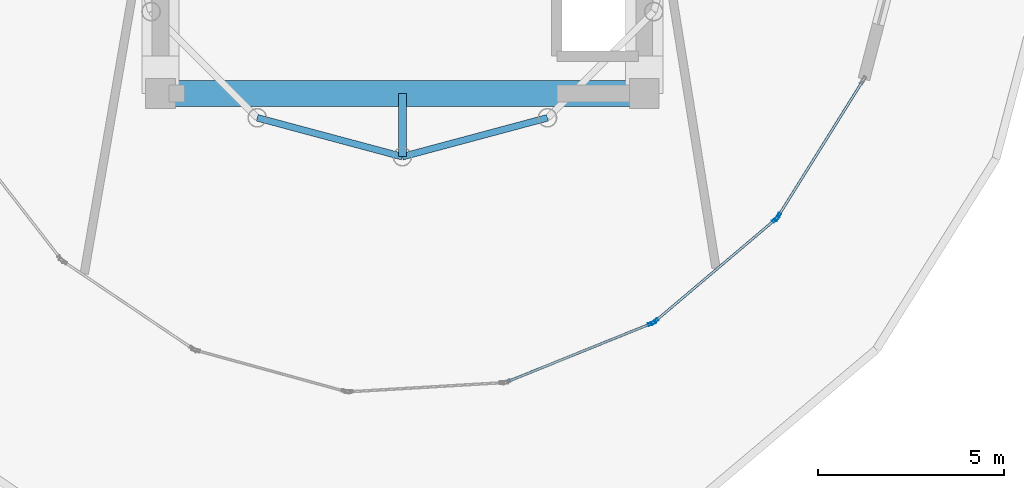
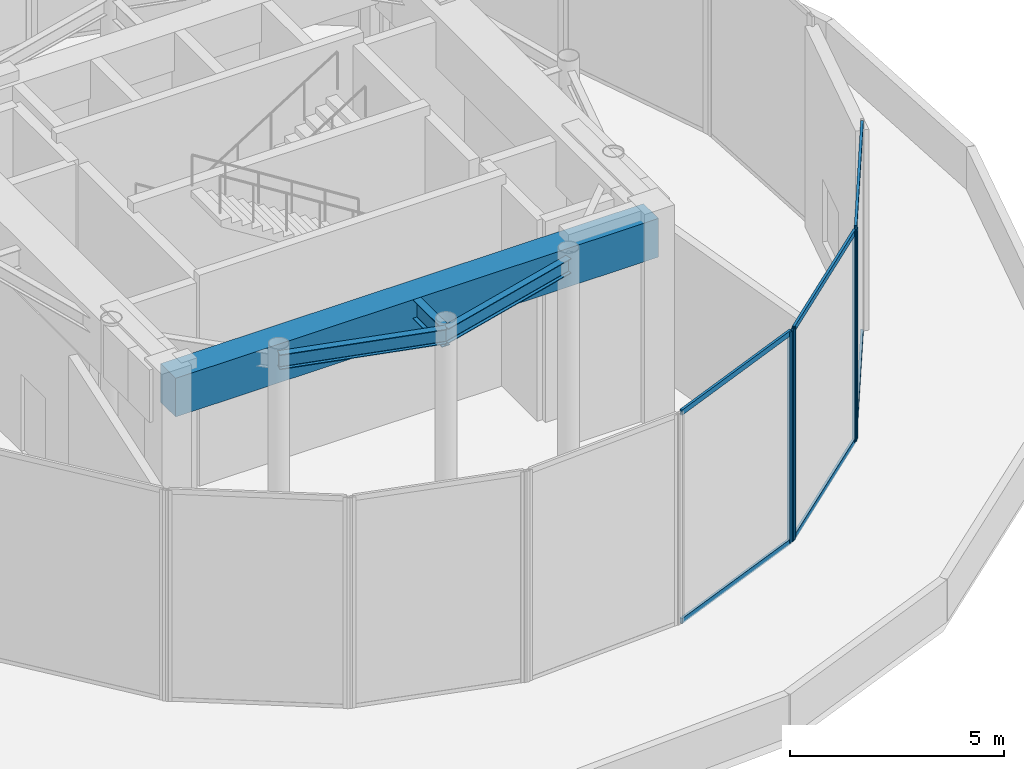
# One storey, part 3 of 12: 10 members, 4 beams, 3 elements without a shape of their own.
"""IFC4 building model written with IfcOpenShell, lengths in metres."""

from ifc_helpers import new_model, si_unit, direction, frame, origin, origin_2d, place, context, subcontext, project, spatial, rectangle, hollow_rectangle, i_section, extrude, source, transform, mapped, material, layer, layer_set, material_profile, profile_set, type_object, element, aggregate, save


model = new_model("IFC4")

# Units and contexts
model_context = context("Model", 3, precision=1e-05, world=origin(), true_north=direction((0.0, 1.0)))
body_context = subcontext(model_context, "Body", "Model", "MODEL_VIEW")
ifc_project = project(units=[si_unit("LENGTHUNIT", "METRE"), si_unit("AREAUNIT", "SQUARE_METRE"), si_unit("VOLUMEUNIT", "CUBIC_METRE"), si_unit("PLANEANGLEUNIT", "RADIAN"), si_unit("MASSUNIT", "GRAM", prefix="KILO")], contexts=[model_context])

# Site, building, storey
site_placement = place(None, origin())
site = spatial("IfcSite", under=ifc_project, at=site_placement, CompositionType="ELEMENT")
building_placement = place(site_placement, origin())
building = spatial("IfcBuilding", under=site, at=building_placement, Name="Solvirekh Grand Hotel", CompositionType="ELEMENT")
storey_placement = place(building_placement, frame((0.0, 0.0, 302.199951171875)))
storey = spatial("IfcBuildingStorey", under=building, at=storey_placement, Name="L78", CompositionType="ELEMENT", Elevation=302.199951171875)

# Beams
ifc_material_1 = material(Name="Concrete C60/75", Category="concrete")
ifc_material_profile_1 = material_profile(ifc_material_1, rectangle(XDim=0.699951171875, YDim=1.10009765625, at=origin_2d()), Name="RC BEAM 700X1100")
ifc_profile_set_1 = profile_set([ifc_material_profile_1], Name="Concrete C60/75")
beam_type_1 = type_object("IfcBeamType", Name="Beam_Core_RC1100", PredefinedType="BEAM", material=ifc_profile_set_1)
beam_1_placement = place(storey_placement, frame((-6.5, -6.10009765625, 5.170166015625), z_axis=(1.0, 0.0, 0.0), x_axis=(0.0, 1.0, 0.0)))
element("IfcBeam", 1, at=beam_1_placement, inside=storey, type_object=beam_type_1, Name="L78 core coupling ring beam 1", PredefinedType="BEAM", context=body_context, shape_type="SweptSolid", body=[
    extrude(rectangle(XDim=0.699951171875, YDim=1.10009765625, at=origin_2d()), origin(), (0.0, 0.0, 1.0), 13.0),
])
ifc_material_2 = material(Name="Steel S355", Category="steel")
ifc_material_profile_2 = material_profile(ifc_material_2, i_section(OverallWidth=0.2119140625, OverallDepth=0.5439453125, WebThickness=0.011962890625, FlangeThickness=0.01904296875, FilletRadius=0.013916015625, at=origin_2d()), Name="W530X123")
ifc_profile_set_2 = profile_set([ifc_material_profile_2], Name="Steel S355")
beam_type_2 = type_object("IfcBeamType", Name="Beam_Radial_W530H", PredefinedType="BEAM", material=ifc_profile_set_2)
beam_2_placement = place(storey_placement, frame((0.0, -6.10009765625, 5.447998046875), z_axis=(0.0, -1.0, 0.0), x_axis=(1.0, 0.0, 0.0)))
element("IfcBeam", 2, at=beam_2_placement, inside=storey, type_object=beam_type_2, Name="L78 radial floor beam R10", PredefinedType="BEAM", context=body_context, shape_type="SweptSolid", body=[
    extrude(i_section(OverallWidth=0.2119140625, OverallDepth=0.5439453125, WebThickness=0.011962890625, FlangeThickness=0.01904296875, FilletRadius=0.013916015625, at=origin_2d()), origin(), (0.0, 0.0, 1.0), 1.699951171875),
])
ifc_material_profile_3 = material_profile(ifc_material_2, i_section(OverallWidth=0.180908203125, OverallDepth=0.4169921875, WebThickness=0.010009765625, FlangeThickness=0.01611328125, FilletRadius=0.011962890625, at=origin_2d()), Name="W410X85")
ifc_profile_set_3 = profile_set([ifc_material_profile_3], Name="Steel S355")
beam_type_3 = type_object("IfcBeamType", Name="Spandrel_Ring_W410", PredefinedType="SPANDREL", material=ifc_profile_set_3)
for number, where, z_axis, x_axis, name in (
    (3, (-3.89990234375, -6.7548828125, 5.511962890625), (0.965914040095, -0.258863027773, 0.0), (0.258863027773, 0.965914040095, 0.0), "L78 perimeter spandrel beam 9"),
    (4, (0.0, -7.800048828125, 5.511962890625), (0.965914040095, 0.258863027773, 0.0), (-0.258863027773, 0.965914040095, 0.0), "L78 perimeter spandrel beam 10"),
):
    element("IfcBeam", number, at=place(storey_placement, frame(where, z_axis=z_axis, x_axis=x_axis)), inside=storey, type_object=beam_type_3, Name=name, PredefinedType="SPANDREL", context=body_context, shape_type="SweptSolid", body=[
        extrude(i_section(OverallWidth=0.180908203125, OverallDepth=0.4169921875, WebThickness=0.010009765625, FlangeThickness=0.01611328125, FilletRadius=0.011962890625, at=origin_2d()), origin(), (0.0, 0.0, 1.0), 4.03759765625),
    ])

# Curtain wall, member
ifc_material_3 = material(Name="Anodized Bronze Aluminium 6063-T6", Category="aluminium")
ifc_layer = layer(ifc_material_3, 0.219970703125)
ifc_layer_set = layer_set([ifc_layer], Name="Anodized Bronze Aluminium 6063-T6")
curtain_wall_type = type_object("IfcCurtainWallType", Name="CW_Sys6_CrownFacetedPointCW", PredefinedType="NOTDEFINED", material=ifc_layer_set)
curtain_wall_1_placement = place(storey_placement, origin())
curtain_wall_1 = element("IfcCurtainWall", 5, at=curtain_wall_1_placement, inside=storey, type_object=curtain_wall_type, Name="L78 unitised bronze-glass curtain wall CW-L78-C02", PredefinedType="NOTDEFINED")
ifc_material_profile_4 = material_profile(ifc_material_3, hollow_rectangle(XDim=0.074951171875, YDim=0.219970703125, WallThickness=0.006103515625, at=origin_2d()), Name="ALU RHS 220X75X6")
ifc_profile_set_4 = profile_set([ifc_material_profile_4], Name="Anodized Bronze Aluminium 6063-T6")
member_type_1 = type_object("IfcMemberType", Name="CWMullion_Sys6", PredefinedType="MULLION", material=ifc_profile_set_4)
shared_shape_1 = source(origin(), body_context, "Body", "SweptSolid", [
    extrude(hollow_rectangle(XDim=0.074951171875, YDim=0.219970703125, WallThickness=0.006103515625, at=origin_2d()), origin(), (0.0, 0.0, 1.0), 6.0),
])
member_1_placement = place(storey_placement, frame((6.714111328125, -12.275146484375, 0.0), z_axis=(0.0, 0.0, 1.0), x_axis=(-0.374721029061, 0.92713761135, 0.0)))
member_1 = element("IfcMember", 6, at=member_1_placement, type_object=member_type_1, Name="U06 mullion 2", PredefinedType="MULLION", context=body_context, shape_type="MappedRepresentation", body=[
    mapped(shared_shape_1, transform((0.0, 0.0, 0.0), x_axis=(1.0, 0.0, 0.0), y_axis=(0.0, 1.0, 0.0), z_axis=(0.0, 0.0, 1.0), scale=1.0)),
])

# Curtain wall, members
curtain_wall_2_placement = place(storey_placement, origin())
curtain_wall_2 = element("IfcCurtainWall", 7, at=curtain_wall_2_placement, inside=storey, type_object=curtain_wall_type, Name="L78 unitised bronze-glass curtain wall CW-L78-C03", PredefinedType="NOTDEFINED")
member_2_placement = place(storey_placement, frame((6.777587890625, -12.23681640625, 0.0), z_axis=(0.0, 0.0, 1.0), x_axis=(-0.645931936928, 0.763395004474, 0.0)))
member_2 = element("IfcMember", 8, at=member_2_placement, type_object=member_type_1, Name="U06 mullion 1", PredefinedType="MULLION", context=body_context, shape_type="MappedRepresentation", body=[
    mapped(shared_shape_1, transform((0.0, 0.0, 0.0), x_axis=(1.0, 0.0, 0.0), y_axis=(0.0, 1.0, 0.0), z_axis=(0.0, 0.0, 1.0), scale=1.0)),
])
member_3_placement = place(storey_placement, frame((10.041259765625, -9.475341796875, 0.0), z_axis=(0.0, 0.0, 1.0), x_axis=(-0.645931936928, 0.763395004474, 0.0)))
member_3 = element("IfcMember", 9, at=member_3_placement, type_object=member_type_1, Name="U06 mullion 2", PredefinedType="MULLION", context=body_context, shape_type="MappedRepresentation", body=[
    mapped(shared_shape_1, transform((0.0, 0.0, 0.0), x_axis=(1.0, 0.0, 0.0), y_axis=(0.0, 1.0, 0.0), z_axis=(0.0, 0.0, 1.0), scale=1.0)),
])

# Curtain wall, member
curtain_wall_3_placement = place(storey_placement, origin())
curtain_wall_3 = element("IfcCurtainWall", 10, at=curtain_wall_3_placement, inside=storey, type_object=curtain_wall_type, Name="L78 unitised bronze-glass curtain wall CW-L78-C04", PredefinedType="NOTDEFINED")
member_4_placement = place(storey_placement, frame((10.08984375, -9.419189453125, 0.0), z_axis=(0.0, 0.0, 1.0), x_axis=(-0.847934527093, 0.530100969405, 0.0)))
member_4 = element("IfcMember", 11, at=member_4_placement, type_object=member_type_1, Name="U06 mullion 1", PredefinedType="MULLION", context=body_context, shape_type="MappedRepresentation", body=[
    mapped(shared_shape_1, transform((0.0, 0.0, 0.0), x_axis=(1.0, 0.0, 0.0), y_axis=(0.0, 1.0, 0.0), z_axis=(0.0, 0.0, 1.0), scale=1.0)),
])

# Member
ifc_material_profile_5 = material_profile(ifc_material_3, hollow_rectangle(XDim=0.06494140625, YDim=0.14990234375, WallThickness=0.0048828125, at=origin_2d()), Name="ALU RHS 150X65X5")
ifc_profile_set_5 = profile_set([ifc_material_profile_5], Name="Anodized Bronze Aluminium 6063-T6")
member_type_2 = type_object("IfcMemberType", Name="CWTransom_Sys6", PredefinedType="USERDEFINED", material=ifc_profile_set_5)
shared_shape_2 = source(origin(), body_context, "Body", "SweptSolid", [
    extrude(hollow_rectangle(XDim=0.06494140625, YDim=0.14990234375, WallThickness=0.0048828125, at=origin_2d()), origin(), (0.0, 0.0, 1.0), 4.143798828125),
])
member_5_placement = place(storey_placement, frame((2.837646484375, -13.841796875, 0.032470703125), z_axis=(0.927137940423, 0.374720214864, 0.0), x_axis=(-0.374720214864, 0.927137940423, 0.0)))
member_5 = element("IfcMember", 12, at=member_5_placement, type_object=member_type_2, Name="U06 transom 1.1", ObjectType="TRANSOM", PredefinedType="USERDEFINED", context=body_context, shape_type="MappedRepresentation", body=[
    mapped(shared_shape_2, transform((0.0, 0.0, 0.0), x_axis=(1.0, 0.0, 0.0), y_axis=(0.0, 1.0, 0.0), z_axis=(0.0, 0.0, 1.0), scale=1.0)),
])

member_6_placement = place(storey_placement, frame((2.837646484375, -13.841796875, 5.967529296875), z_axis=(0.927137940423, 0.374720214864, 0.0), x_axis=(-0.374720214864, 0.927137940423, 0.0)))
member_6 = element("IfcMember", 13, at=member_6_placement, type_object=member_type_2, Name="U06 transom 1.2", ObjectType="TRANSOM", PredefinedType="USERDEFINED", context=body_context, shape_type="MappedRepresentation", body=[
    mapped(shared_shape_2, transform((0.0, 0.0, 0.0), x_axis=(1.0, 0.0, 0.0), y_axis=(0.0, 1.0, 0.0), z_axis=(0.0, 0.0, 1.0), scale=1.0)),
])

aggregate(curtain_wall_1, [member_1, member_5, member_6])

shared_shape_3 = source(origin(), body_context, "Body", "SweptSolid", [
    extrude(hollow_rectangle(XDim=0.06494140625, YDim=0.14990234375, WallThickness=0.0048828125, at=origin_2d()), origin(), (0.0, 0.0, 1.0), 4.200439453125),
])
member_7_placement = place(storey_placement, frame((6.80615234375, -12.212646484375, 0.032470703125), z_axis=(0.763397308727, 0.645929213635, 0.0), x_axis=(-0.645929213635, 0.763397308727, 0.0)))
member_7 = element("IfcMember", 14, at=member_7_placement, type_object=member_type_2, Name="U06 transom 1.1", ObjectType="TRANSOM", PredefinedType="USERDEFINED", context=body_context, shape_type="MappedRepresentation", body=[
    mapped(shared_shape_3, transform((0.0, 0.0, 0.0), x_axis=(1.0, 0.0, 0.0), y_axis=(0.0, 1.0, 0.0), z_axis=(0.0, 0.0, 1.0), scale=1.0)),
])

member_8_placement = place(storey_placement, frame((6.80615234375, -12.212646484375, 5.967529296875), z_axis=(0.763397308727, 0.645929213635, 0.0), x_axis=(-0.645929213635, 0.763397308727, 0.0)))
member_8 = element("IfcMember", 15, at=member_8_placement, type_object=member_type_2, Name="U06 transom 1.2", ObjectType="TRANSOM", PredefinedType="USERDEFINED", context=body_context, shape_type="MappedRepresentation", body=[
    mapped(shared_shape_3, transform((0.0, 0.0, 0.0), x_axis=(1.0, 0.0, 0.0), y_axis=(0.0, 1.0, 0.0), z_axis=(0.0, 0.0, 1.0), scale=1.0)),
])

aggregate(curtain_wall_2, [member_2, member_3, member_7, member_8])

shared_shape_4 = source(origin(), body_context, "Body", "SweptSolid", [
    extrude(hollow_rectangle(XDim=0.06494140625, YDim=0.14990234375, WallThickness=0.0048828125, at=origin_2d()), origin(), (0.0, 0.0, 1.0), 4.2548828125),
])
member_9_placement = place(storey_placement, frame((10.10986328125, -9.387451171875, 0.032470703125), z_axis=(0.5300711459, 0.847953171044, 0.0), x_axis=(-0.847953171044, 0.5300711459, 0.0)))
member_9 = element("IfcMember", 16, at=member_9_placement, type_object=member_type_2, Name="U06 transom 1.1", ObjectType="TRANSOM", PredefinedType="USERDEFINED", context=body_context, shape_type="MappedRepresentation", body=[
    mapped(shared_shape_4, transform((0.0, 0.0, 0.0), x_axis=(1.0, 0.0, 0.0), y_axis=(0.0, 1.0, 0.0), z_axis=(0.0, 0.0, 1.0), scale=1.0)),
])

member_10_placement = place(storey_placement, frame((10.10986328125, -9.387451171875, 5.967529296875), z_axis=(0.5300711459, 0.847953171044, 0.0), x_axis=(-0.847953171044, 0.5300711459, 0.0)))
member_10 = element("IfcMember", 17, at=member_10_placement, type_object=member_type_2, Name="U06 transom 1.2", ObjectType="TRANSOM", PredefinedType="USERDEFINED", context=body_context, shape_type="MappedRepresentation", body=[
    mapped(shared_shape_4, transform((0.0, 0.0, 0.0), x_axis=(1.0, 0.0, 0.0), y_axis=(0.0, 1.0, 0.0), z_axis=(0.0, 0.0, 1.0), scale=1.0)),
])

aggregate(curtain_wall_3, [member_4, member_9, member_10])

save(model, "model.ifc")
